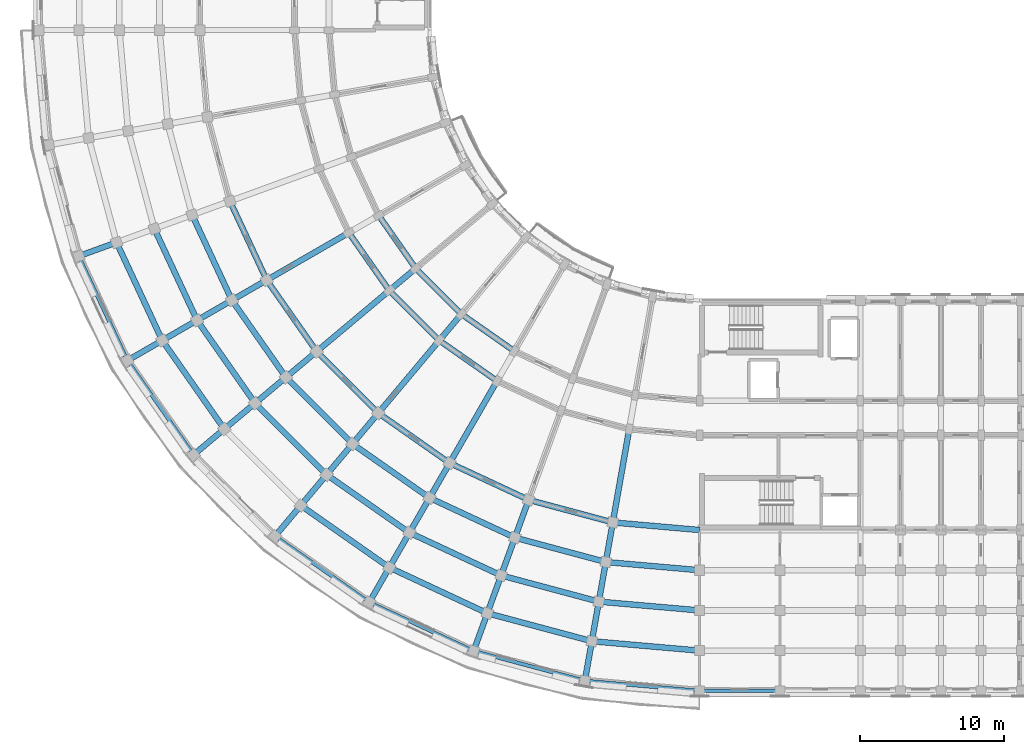
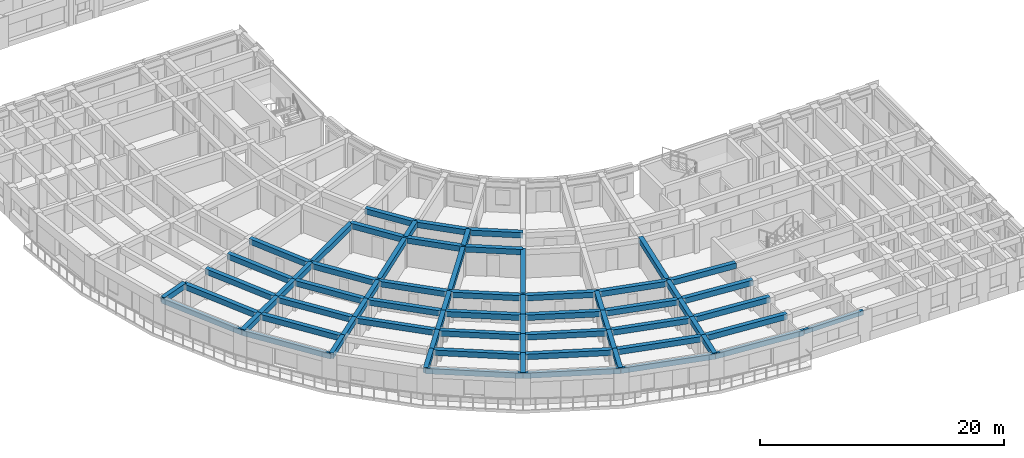
# One storey, part 4 of 57: 72 beams.
"""IFC4 building model written with IfcOpenShell, lengths in metres."""

from ifc_helpers import new_model, si_unit, direction, frame, origin, origin_2d, place, context, subcontext, project, spatial, rectangle, extrude, material, material_profile, profile_set, type_object, element, save


model = new_model("IFC4")

# Units and contexts
model_context = context("Model", 3, precision=1e-05, world=origin(), true_north=direction((0.0, 1.0)))
body_context = subcontext(model_context, "Body", "Model", "MODEL_VIEW")
ifc_project = project(units=[si_unit("LENGTHUNIT", "METRE"), si_unit("AREAUNIT", "SQUARE_METRE"), si_unit("VOLUMEUNIT", "CUBIC_METRE"), si_unit("PLANEANGLEUNIT", "RADIAN"), si_unit("MASSUNIT", "GRAM", prefix="KILO")], contexts=[model_context])

# Site, building, storey
site_placement = place(None, origin())
site = spatial("IfcSite", under=ifc_project, at=site_placement, CompositionType="ELEMENT")
building_placement = place(site_placement, origin())
building = spatial("IfcBuilding", under=site, at=building_placement, Name="Kiranvali Square Residences", CompositionType="ELEMENT")
storey_placement = place(building_placement, frame((0.0, 0.0, 18.14990234375)))
storey = spatial("IfcBuildingStorey", under=building, at=storey_placement, Name="L05", CompositionType="ELEMENT", Elevation=18.14990234375)

# Beams
ifc_material_1 = material(Name="Concrete M45 (45 MPa)", Category="concrete")
ifc_material_profile_1 = material_profile(ifc_material_1, rectangle(XDim=0.39990234375, YDim=0.550048828125, at=origin_2d()), Name="RC 400x550")
ifc_profile_set_1 = profile_set([ifc_material_profile_1], Name="Concrete M45 (45 MPa)")
beam_type_1 = type_object("IfcBeamType", Name="BM-M45-400x550", PredefinedType="BEAM", material=ifc_profile_set_1)
beam_1_placement = place(storey_placement, frame((48.199951171875, 13.39990234375, 2.655029296875), z_axis=(-0.996193018494, 0.087174938512, 0.0), x_axis=(-0.087174938512, -0.996193018494, 0.0)))
element("IfcBeam", 1, at=beam_1_placement, inside=storey, type_object=beam_type_1, Name="L05 beam BM-C-L05-C00-R3", PredefinedType="BEAM", context=body_context, shape_type="SweptSolid", body=[
    extrude(rectangle(XDim=0.39990234375, YDim=0.550048828125, at=origin_2d()), origin(), (0.0, 0.0, 1.0), 6.066162109375),
])
beam_2_placement = place(storey_placement, frame((48.199951171875, 10.60009765625, 2.655029296875), z_axis=(-0.996196991902, 0.0871295204, 0.0), x_axis=(-0.0871295204, -0.996196991902, 0.0)))
element("IfcBeam", 2, at=beam_2_placement, inside=storey, type_object=beam_type_1, Name="L05 beam BM-C-L05-C00-R4", PredefinedType="BEAM", context=body_context, shape_type="SweptSolid", body=[
    extrude(rectangle(XDim=0.39990234375, YDim=0.550048828125, at=origin_2d()), origin(), (0.0, 0.0, 1.0), 6.553955078125),
])
beam_3_placement = place(storey_placement, frame((48.199951171875, 7.800048828125, 2.655029296875), z_axis=(-0.996194658198, 0.087156198737, 0.0), x_axis=(-0.087156198737, -0.996194658198, 0.0)))
element("IfcBeam", 3, at=beam_3_placement, inside=storey, type_object=beam_type_1, Name="L05 beam BM-C-L05-C00-R5", PredefinedType="BEAM", context=body_context, shape_type="SweptSolid", body=[
    extrude(rectangle(XDim=0.39990234375, YDim=0.550048828125, at=origin_2d()), origin(), (0.0, 0.0, 1.0), 7.042236328125),
])
beam_4_placement = place(storey_placement, frame((48.199951171875, 5.0, 2.655029296875), z_axis=(-0.996195195417, 0.087150058103, 0.0), x_axis=(-0.087150058103, -0.996195195417, 0.0)))
element("IfcBeam", 4, at=beam_4_placement, inside=storey, type_object=beam_type_1, Name="L05 beam BM-C-L05-C00-R6", PredefinedType="BEAM", context=body_context, shape_type="SweptSolid", body=[
    extrude(rectangle(XDim=0.39990234375, YDim=0.550048828125, at=origin_2d()), origin(), (0.0, 0.0, 1.0), 7.530029296875),
])
beam_5_placement = place(storey_placement, frame((42.156982421875, 13.9287109375, 2.655029296875), z_axis=(-0.965923618901, 0.258827283048, 0.0), x_axis=(-0.258827283048, -0.965923618901, 0.0)))
element("IfcBeam", 5, at=beam_5_placement, inside=storey, type_object=beam_type_1, Name="L05 beam BM-C-L05-C01-R3", PredefinedType="BEAM", context=body_context, shape_type="SweptSolid", body=[
    extrude(rectangle(XDim=0.39990234375, YDim=0.550048828125, at=origin_2d()), origin(), (0.0, 0.0, 1.0), 6.066162109375),
])
beam_6_placement = place(storey_placement, frame((41.6708984375, 11.171142578125, 2.655029296875), z_axis=(-0.965918287583, 0.258847178297, 0.0), x_axis=(-0.258847178297, -0.965918287583, 0.0)))
element("IfcBeam", 6, at=beam_6_placement, inside=storey, type_object=beam_type_1, Name="L05 beam BM-C-L05-C01-R4", PredefinedType="BEAM", context=body_context, shape_type="SweptSolid", body=[
    extrude(rectangle(XDim=0.39990234375, YDim=0.550048828125, at=origin_2d()), origin(), (0.0, 0.0, 1.0), 6.55419921875),
])
beam_7_placement = place(storey_placement, frame((41.1845703125, 8.413818359375, 2.655029296875), z_axis=(-0.965931029817, 0.258799624492, 0.0), x_axis=(-0.258799624492, -0.965931029817, 0.0)))
element("IfcBeam", 7, at=beam_7_placement, inside=storey, type_object=beam_type_1, Name="L05 beam BM-C-L05-C01-R5", PredefinedType="BEAM", context=body_context, shape_type="SweptSolid", body=[
    extrude(rectangle(XDim=0.39990234375, YDim=0.550048828125, at=origin_2d()), origin(), (0.0, 0.0, 1.0), 7.042236328125),
])
beam_8_placement = place(storey_placement, frame((40.698486328125, 5.65625, 2.655029296875), z_axis=(-0.965925909693, 0.258818733833, 0.0), x_axis=(-0.258818733833, -0.965925909693, 0.0)))
element("IfcBeam", 8, at=beam_8_placement, inside=storey, type_object=beam_type_1, Name="L05 beam BM-C-L05-C01-R6", PredefinedType="BEAM", context=body_context, shape_type="SweptSolid", body=[
    extrude(rectangle(XDim=0.39990234375, YDim=0.550048828125, at=origin_2d()), origin(), (0.0, 0.0, 1.0), 7.5302734375),
])
beam_9_placement = place(storey_placement, frame((36.297607421875, 15.498779296875, 2.655029296875), z_axis=(-0.906312656069, 0.42260781991, 0.0), x_axis=(-0.42260781991, -0.906312656069, 0.0)))
element("IfcBeam", 9, at=beam_9_placement, inside=storey, type_object=beam_type_1, Name="L05 beam BM-C-L05-C02-R3", PredefinedType="BEAM", context=body_context, shape_type="SweptSolid", body=[
    extrude(rectangle(XDim=0.39990234375, YDim=0.550048828125, at=origin_2d()), origin(), (0.0, 0.0, 1.0), 6.06591796875),
])
beam_10_placement = place(storey_placement, frame((35.340087890625, 12.86767578125, 2.655029296875), z_axis=(-0.906318225223, 0.422595876255, 0.0), x_axis=(-0.422595876255, -0.906318225223, 0.0)))
element("IfcBeam", 10, at=beam_10_placement, inside=storey, type_object=beam_type_1, Name="L05 beam BM-C-L05-C02-R4", PredefinedType="BEAM", context=body_context, shape_type="SweptSolid", body=[
    extrude(rectangle(XDim=0.39990234375, YDim=0.550048828125, at=origin_2d()), origin(), (0.0, 0.0, 1.0), 6.55419921875),
])
beam_11_placement = place(storey_placement, frame((34.38232421875, 10.236328125, 2.655029296875), z_axis=(-0.906297360311, 0.422640621205, 0.0), x_axis=(-0.422640621205, -0.906297360311, 0.0)))
element("IfcBeam", 11, at=beam_11_placement, inside=storey, type_object=beam_type_1, Name="L05 beam BM-C-L05-C02-R5", PredefinedType="BEAM", context=body_context, shape_type="SweptSolid", body=[
    extrude(rectangle(XDim=0.39990234375, YDim=0.550048828125, at=origin_2d()), origin(), (0.0, 0.0, 1.0), 7.042236328125),
])
beam_12_placement = place(storey_placement, frame((33.4248046875, 7.605224609375, 2.655029296875), z_axis=(-0.90630982703, 0.422613886933, 0.0), x_axis=(-0.422613886933, -0.90630982703, 0.0)))
element("IfcBeam", 12, at=beam_12_placement, inside=storey, type_object=beam_type_1, Name="L05 beam BM-C-L05-C02-R6", PredefinedType="BEAM", context=body_context, shape_type="SweptSolid", body=[
    extrude(rectangle(XDim=0.39990234375, YDim=0.550048828125, at=origin_2d()), origin(), (0.0, 0.0, 1.0), 7.5302734375),
])
beam_13_placement = place(storey_placement, frame((35.300048828125, 25.8564453125, 2.655029296875), z_axis=(-0.819155404658, 0.573571637217, 0.0), x_axis=(-0.573571637217, -0.819155404658, 0.0)))
element("IfcBeam", 13, at=beam_13_placement, inside=storey, type_object=beam_type_1, Name="L05 beam BM-C-L05-C03-R1", PredefinedType="BEAM", context=body_context, shape_type="SweptSolid", body=[
    extrude(rectangle(XDim=0.39990234375, YDim=0.550048828125, at=origin_2d()), origin(), (0.0, 0.0, 1.0), 4.497314453125),
])
beam_14_placement = place(storey_placement, frame((34.10009765625, 23.778076171875, 2.655029296875), z_axis=(-0.819140911474, 0.573592335331, 0.0), x_axis=(-0.573592335331, -0.819140911474, 0.0)))
element("IfcBeam", 14, at=beam_14_placement, inside=storey, type_object=beam_type_1, Name="L05 beam BM-C-L05-C03-R2", PredefinedType="BEAM", context=body_context, shape_type="SweptSolid", body=[
    extrude(rectangle(XDim=0.39990234375, YDim=0.550048828125, at=origin_2d()), origin(), (0.0, 0.0, 1.0), 4.915771484375),
])
beam_15_placement = place(storey_placement, frame((30.800048828125, 18.062255859375, 2.655029296875), z_axis=(-0.81913926159, 0.573594691504, 0.0), x_axis=(-0.573594691504, -0.81913926159, 0.0)))
element("IfcBeam", 15, at=beam_15_placement, inside=storey, type_object=beam_type_1, Name="L05 beam BM-C-L05-C03-R3", PredefinedType="BEAM", context=body_context, shape_type="SweptSolid", body=[
    extrude(rectangle(XDim=0.39990234375, YDim=0.550048828125, at=origin_2d()), origin(), (0.0, 0.0, 1.0), 6.066162109375),
])
beam_16_placement = place(storey_placement, frame((29.39990234375, 15.637451171875, 2.655029296875), z_axis=(-0.819144409176, 0.573587340268, 0.0), x_axis=(-0.573587340268, -0.819144409176, 0.0)))
element("IfcBeam", 16, at=beam_16_placement, inside=storey, type_object=beam_type_1, Name="L05 beam BM-C-L05-C03-R4", PredefinedType="BEAM", context=body_context, shape_type="SweptSolid", body=[
    extrude(rectangle(XDim=0.39990234375, YDim=0.550048828125, at=origin_2d()), origin(), (0.0, 0.0, 1.0), 6.553955078125),
])
beam_17_placement = place(storey_placement, frame((28.0, 13.212646484375, 2.655029296875), z_axis=(-0.819160249246, 0.57356471828, 0.0), x_axis=(-0.57356471828, -0.819160249246, 0.0)))
element("IfcBeam", 17, at=beam_17_placement, inside=storey, type_object=beam_type_1, Name="L05 beam BM-C-L05-C03-R5", PredefinedType="BEAM", context=body_context, shape_type="SweptSolid", body=[
    extrude(rectangle(XDim=0.39990234375, YDim=0.550048828125, at=origin_2d()), origin(), (0.0, 0.0, 1.0), 7.0419921875),
])
beam_18_placement = place(storey_placement, frame((26.60009765625, 10.78759765625, 2.655029296875), z_axis=(-0.819143569597, 0.573588539275, 0.0), x_axis=(-0.573588539275, -0.819143569597, 0.0)))
element("IfcBeam", 18, at=beam_18_placement, inside=storey, type_object=beam_type_1, Name="L05 beam BM-C-L05-C03-R6", PredefinedType="BEAM", context=body_context, shape_type="SweptSolid", body=[
    extrude(rectangle(XDim=0.39990234375, YDim=0.550048828125, at=origin_2d()), origin(), (0.0, 0.0, 1.0), 7.5302734375),
])
beam_19_placement = place(storey_placement, frame((31.615966796875, 28.43603515625, 2.655029296875), z_axis=(-0.707106781187, 0.707106781187, 0.0), x_axis=(-0.707106781187, -0.707106781187, 0.0)))
element("IfcBeam", 19, at=beam_19_placement, inside=storey, type_object=beam_type_1, Name="L05 beam BM-C-L05-C04-R1", PredefinedType="BEAM", context=body_context, shape_type="SweptSolid", body=[
    extrude(rectangle(XDim=0.39990234375, YDim=0.550048828125, at=origin_2d()), origin(), (0.0, 0.0, 1.0), 4.4970703125),
])
beam_20_placement = place(storey_placement, frame((30.073486328125, 26.59765625, 2.655029296875), z_axis=(-0.707106781187, 0.707106781187, 0.0), x_axis=(-0.707106781187, -0.707106781187, 0.0)))
element("IfcBeam", 20, at=beam_20_placement, inside=storey, type_object=beam_type_1, Name="L05 beam BM-C-L05-C04-R2", PredefinedType="BEAM", context=body_context, shape_type="SweptSolid", body=[
    extrude(rectangle(XDim=0.39990234375, YDim=0.550048828125, at=origin_2d()), origin(), (0.0, 0.0, 1.0), 4.91552734375),
])
beam_21_placement = place(storey_placement, frame((25.8310546875, 21.541748046875, 2.655029296875), z_axis=(-0.707106781187, 0.707106781187, 0.0), x_axis=(-0.707106781187, -0.707106781187, 0.0)))
element("IfcBeam", 21, at=beam_21_placement, inside=storey, type_object=beam_type_1, Name="L05 beam BM-C-L05-C04-R3", PredefinedType="BEAM", context=body_context, shape_type="SweptSolid", body=[
    extrude(rectangle(XDim=0.39990234375, YDim=0.550048828125, at=origin_2d()), origin(), (0.0, 0.0, 1.0), 6.06591796875),
])
beam_22_placement = place(storey_placement, frame((24.03125, 19.396728515625, 2.655029296875), z_axis=(-0.707106781187, 0.707106781187, 0.0), x_axis=(-0.707106781187, -0.707106781187, 0.0)))
element("IfcBeam", 22, at=beam_22_placement, inside=storey, type_object=beam_type_1, Name="L05 beam BM-C-L05-C04-R4", PredefinedType="BEAM", context=body_context, shape_type="SweptSolid", body=[
    extrude(rectangle(XDim=0.39990234375, YDim=0.550048828125, at=origin_2d()), origin(), (0.0, 0.0, 1.0), 6.55419921875),
])
beam_23_placement = place(storey_placement, frame((22.2314453125, 17.251708984375, 2.655029296875), z_axis=(-0.707106781187, 0.707106781187, 0.0), x_axis=(-0.707106781187, -0.707106781187, 0.0)))
element("IfcBeam", 23, at=beam_23_placement, inside=storey, type_object=beam_type_1, Name="L05 beam BM-C-L05-C04-R5", PredefinedType="BEAM", context=body_context, shape_type="SweptSolid", body=[
    extrude(rectangle(XDim=0.39990234375, YDim=0.550048828125, at=origin_2d()), origin(), (0.0, 0.0, 1.0), 7.04248046875),
])
beam_24_placement = place(storey_placement, frame((28.43603515625, 31.615966796875, 2.655029296875), z_axis=(-0.573571637217, 0.819155404658, 0.0), x_axis=(-0.819155404658, -0.573571637217, 0.0)))
element("IfcBeam", 24, at=beam_24_placement, inside=storey, type_object=beam_type_1, Name="L05 beam BM-C-L05-C05-R1", PredefinedType="BEAM", context=body_context, shape_type="SweptSolid", body=[
    extrude(rectangle(XDim=0.39990234375, YDim=0.550048828125, at=origin_2d()), origin(), (0.0, 0.0, 1.0), 4.497314453125),
])
beam_25_placement = place(storey_placement, frame((26.59765625, 30.073486328125, 2.655029296875), z_axis=(-0.573592335331, 0.819140911474, 0.0), x_axis=(-0.819140911474, -0.573592335331, 0.0)))
element("IfcBeam", 25, at=beam_25_placement, inside=storey, type_object=beam_type_1, Name="L05 beam BM-C-L05-C05-R2", PredefinedType="BEAM", context=body_context, shape_type="SweptSolid", body=[
    extrude(rectangle(XDim=0.39990234375, YDim=0.550048828125, at=origin_2d()), origin(), (0.0, 0.0, 1.0), 4.915771484375),
])
beam_26_placement = place(storey_placement, frame((21.541748046875, 25.8310546875, 2.655029296875), z_axis=(-0.573594691504, 0.81913926159, 0.0), x_axis=(-0.81913926159, -0.573594691504, 0.0)))
element("IfcBeam", 26, at=beam_26_placement, inside=storey, type_object=beam_type_1, Name="L05 beam BM-C-L05-C05-R3", PredefinedType="BEAM", context=body_context, shape_type="SweptSolid", body=[
    extrude(rectangle(XDim=0.39990234375, YDim=0.550048828125, at=origin_2d()), origin(), (0.0, 0.0, 1.0), 6.066162109375),
])
beam_27_placement = place(storey_placement, frame((19.396728515625, 24.03125, 2.655029296875), z_axis=(-0.573587340268, 0.819144409176, 0.0), x_axis=(-0.819144409176, -0.573587340268, 0.0)))
element("IfcBeam", 27, at=beam_27_placement, inside=storey, type_object=beam_type_1, Name="L05 beam BM-C-L05-C05-R4", PredefinedType="BEAM", context=body_context, shape_type="SweptSolid", body=[
    extrude(rectangle(XDim=0.39990234375, YDim=0.550048828125, at=origin_2d()), origin(), (0.0, 0.0, 1.0), 6.553955078125),
])
beam_28_placement = place(storey_placement, frame((17.251708984375, 22.2314453125, 2.655029296875), z_axis=(-0.57356471828, 0.819160249246, 0.0), x_axis=(-0.819160249246, -0.57356471828, 0.0)))
element("IfcBeam", 28, at=beam_28_placement, inside=storey, type_object=beam_type_1, Name="L05 beam BM-C-L05-C05-R5", PredefinedType="BEAM", context=body_context, shape_type="SweptSolid", body=[
    extrude(rectangle(XDim=0.39990234375, YDim=0.550048828125, at=origin_2d()), origin(), (0.0, 0.0, 1.0), 7.0419921875),
])
beam_29_placement = place(storey_placement, frame((15.10693359375, 20.431640625, 2.655029296875), z_axis=(-0.573588539275, 0.819143569597, 0.0), x_axis=(-0.819143569597, -0.573588539275, 0.0)))
element("IfcBeam", 29, at=beam_29_placement, inside=storey, type_object=beam_type_1, Name="L05 beam BM-C-L05-C05-R6", PredefinedType="BEAM", context=body_context, shape_type="SweptSolid", body=[
    extrude(rectangle(XDim=0.39990234375, YDim=0.550048828125, at=origin_2d()), origin(), (0.0, 0.0, 1.0), 7.5302734375),
])
beam_30_placement = place(storey_placement, frame((18.062255859375, 30.800048828125, 2.655029296875), z_axis=(-0.42260781991, 0.906312656069, 0.0), x_axis=(-0.906312656069, -0.42260781991, 0.0)))
element("IfcBeam", 30, at=beam_30_placement, inside=storey, type_object=beam_type_1, Name="L05 beam BM-C-L05-C06-R3", PredefinedType="BEAM", context=body_context, shape_type="SweptSolid", body=[
    extrude(rectangle(XDim=0.39990234375, YDim=0.550048828125, at=origin_2d()), origin(), (0.0, 0.0, 1.0), 6.06591796875),
])
beam_31_placement = place(storey_placement, frame((15.637451171875, 29.39990234375, 2.655029296875), z_axis=(-0.422595876255, 0.906318225223, 0.0), x_axis=(-0.906318225223, -0.422595876255, 0.0)))
element("IfcBeam", 31, at=beam_31_placement, inside=storey, type_object=beam_type_1, Name="L05 beam BM-C-L05-C06-R4", PredefinedType="BEAM", context=body_context, shape_type="SweptSolid", body=[
    extrude(rectangle(XDim=0.39990234375, YDim=0.550048828125, at=origin_2d()), origin(), (0.0, 0.0, 1.0), 6.55419921875),
])
beam_32_placement = place(storey_placement, frame((13.212646484375, 28.0, 2.655029296875), z_axis=(-0.422640621205, 0.906297360311, 0.0), x_axis=(-0.906297360311, -0.422640621205, 0.0)))
element("IfcBeam", 32, at=beam_32_placement, inside=storey, type_object=beam_type_1, Name="L05 beam BM-C-L05-C06-R5", PredefinedType="BEAM", context=body_context, shape_type="SweptSolid", body=[
    extrude(rectangle(XDim=0.39990234375, YDim=0.550048828125, at=origin_2d()), origin(), (0.0, 0.0, 1.0), 7.042236328125),
])
beam_33_placement = place(storey_placement, frame((10.78759765625, 26.60009765625, 2.655029296875), z_axis=(-0.422613886933, 0.90630982703, 0.0), x_axis=(-0.90630982703, -0.422613886933, 0.0)))
element("IfcBeam", 33, at=beam_33_placement, inside=storey, type_object=beam_type_1, Name="L05 beam BM-C-L05-C06-R6", PredefinedType="BEAM", context=body_context, shape_type="SweptSolid", body=[
    extrude(rectangle(XDim=0.39990234375, YDim=0.550048828125, at=origin_2d()), origin(), (0.0, 0.0, 1.0), 7.5302734375),
])
beam_34_placement = place(storey_placement, frame((43.30322265625, 20.428466796875, 2.655029296875), z_axis=(-0.173671381499, -0.984803661269, 0.0), x_axis=(0.984803661269, -0.173671381499, 0.0)))
element("IfcBeam", 34, at=beam_34_placement, inside=storey, type_object=beam_type_1, Name="L05 beam BM-C-L05-RAD01-23", PredefinedType="BEAM", context=body_context, shape_type="SweptSolid", body=[
    extrude(rectangle(XDim=0.39990234375, YDim=0.550048828125, at=origin_2d()), origin(), (0.0, 0.0, 1.0), 6.60009765625),
])
beam_35_placement = place(storey_placement, frame((42.156982421875, 13.9287109375, 2.655029296875), z_axis=(-0.173596320392, -0.984816895441, 0.0), x_axis=(0.984816895441, -0.173596320392, 0.0)))
element("IfcBeam", 35, at=beam_35_placement, inside=storey, type_object=beam_type_1, Name="L05 beam BM-C-L05-RAD01-34", PredefinedType="BEAM", context=body_context, shape_type="SweptSolid", body=[
    extrude(rectangle(XDim=0.39990234375, YDim=0.550048828125, at=origin_2d()), origin(), (0.0, 0.0, 1.0), 2.800048828125),
])
beam_36_placement = place(storey_placement, frame((41.6708984375, 11.171142578125, 2.655029296875), z_axis=(-0.173695795656, -0.984799355489, 0.0), x_axis=(0.984799355489, -0.173695795656, 0.0)))
element("IfcBeam", 36, at=beam_36_placement, inside=storey, type_object=beam_type_1, Name="L05 beam BM-C-L05-RAD01-45", PredefinedType="BEAM", context=body_context, shape_type="SweptSolid", body=[
    extrude(rectangle(XDim=0.39990234375, YDim=0.550048828125, at=origin_2d()), origin(), (0.0, 0.0, 1.0), 2.7998046875),
])
beam_37_placement = place(storey_placement, frame((41.1845703125, 8.413818359375, 2.655029296875), z_axis=(-0.173596320392, -0.984816895441, 0.0), x_axis=(0.984816895441, -0.173596320392, 0.0)))
element("IfcBeam", 37, at=beam_37_placement, inside=storey, type_object=beam_type_1, Name="L05 beam BM-C-L05-RAD01-56", PredefinedType="BEAM", context=body_context, shape_type="SweptSolid", body=[
    extrude(rectangle(XDim=0.39990234375, YDim=0.550048828125, at=origin_2d()), origin(), (0.0, 0.0, 1.0), 2.800048828125),
])
for number, where, z_axis, x_axis, name in (
    (38, (40.698486328125, 5.65625, 2.695068359375), (-0.173695795656, -0.984799355489, 0.0), (0.984799355489, -0.173695795656, 0.0), "L05 beam BM-C-L05-RAD01-67"),
    (39, (36.297607421875, 15.498779296875, 2.655029296875), (-0.341981089711, -0.93970683422, 0.0), (0.93970683422, -0.341981089711, 0.0), "L05 beam BM-C-L05-RAD02-34"),
):
    element("IfcBeam", number, at=place(storey_placement, frame(where, z_axis=z_axis, x_axis=x_axis)), inside=storey, type_object=beam_type_1, Name=name, PredefinedType="BEAM", context=body_context, shape_type="SweptSolid", body=[
        extrude(rectangle(XDim=0.39990234375, YDim=0.550048828125, at=origin_2d()), origin(), (0.0, 0.0, 1.0), 2.7998046875),
    ])
beam_38_placement = place(storey_placement, frame((35.340087890625, 12.86767578125, 2.655029296875), z_axis=(-0.342030060398, -0.939689011208, 0.0), x_axis=(0.939689011208, -0.342030060398, 0.0)))
element("IfcBeam", 40, at=beam_38_placement, inside=storey, type_object=beam_type_1, Name="L05 beam BM-C-L05-RAD02-45", PredefinedType="BEAM", context=body_context, shape_type="SweptSolid", body=[
    extrude(rectangle(XDim=0.39990234375, YDim=0.550048828125, at=origin_2d()), origin(), (0.0, 0.0, 1.0), 2.80029296875),
])
beam_39_placement = place(storey_placement, frame((34.38232421875, 10.236328125, 2.655029296875), z_axis=(-0.341981089711, -0.93970683422, 0.0), x_axis=(0.93970683422, -0.341981089711, 0.0)))
element("IfcBeam", 41, at=beam_39_placement, inside=storey, type_object=beam_type_1, Name="L05 beam BM-C-L05-RAD02-56", PredefinedType="BEAM", context=body_context, shape_type="SweptSolid", body=[
    extrude(rectangle(XDim=0.39990234375, YDim=0.550048828125, at=origin_2d()), origin(), (0.0, 0.0, 1.0), 2.7998046875),
])
beam_40_placement = place(storey_placement, frame((33.4248046875, 7.605224609375, 2.695068359375), z_axis=(-0.342058084236, -0.939678810556, 0.0), x_axis=(0.939678810556, -0.342058084236, 0.0)))
element("IfcBeam", 42, at=beam_40_placement, inside=storey, type_object=beam_type_1, Name="L05 beam BM-C-L05-RAD02-67", PredefinedType="BEAM", context=body_context, shape_type="SweptSolid", body=[
    extrude(rectangle(XDim=0.39990234375, YDim=0.550048828125, at=origin_2d()), origin(), (0.0, 0.0, 1.0), 2.800048828125),
])
beam_41_placement = place(storey_placement, frame((34.10009765625, 23.778076171875, 2.655029296875), z_axis=(-0.500002094529, -0.866024194504, 0.0), x_axis=(0.866024194504, -0.500002094529, 0.0)))
element("IfcBeam", 43, at=beam_41_placement, inside=storey, type_object=beam_type_1, Name="L05 beam BM-C-L05-RAD03-23", PredefinedType="BEAM", context=body_context, shape_type="SweptSolid", body=[
    extrude(rectangle(XDim=0.39990234375, YDim=0.550048828125, at=origin_2d()), origin(), (0.0, 0.0, 1.0), 6.60009765625),
])
beam_42_placement = place(storey_placement, frame((30.800048828125, 18.062255859375, 2.655029296875), z_axis=(-0.500049511043, -0.865996816683, 0.0), x_axis=(0.865996816683, -0.500049511043, 0.0)))
element("IfcBeam", 44, at=beam_42_placement, inside=storey, type_object=beam_type_1, Name="L05 beam BM-C-L05-RAD03-34", PredefinedType="BEAM", context=body_context, shape_type="SweptSolid", body=[
    extrude(rectangle(XDim=0.39990234375, YDim=0.550048828125, at=origin_2d()), origin(), (0.0, 0.0, 1.0), 2.800048828125),
])
beam_43_placement = place(storey_placement, frame((29.39990234375, 15.637451171875, 2.655029296875), z_axis=(-0.49998411664, -0.866034573852, 0.0), x_axis=(0.866034573852, -0.49998411664, 0.0)))
element("IfcBeam", 45, at=beam_43_placement, inside=storey, type_object=beam_type_1, Name="L05 beam BM-C-L05-RAD03-45", PredefinedType="BEAM", context=body_context, shape_type="SweptSolid", body=[
    extrude(rectangle(XDim=0.39990234375, YDim=0.550048828125, at=origin_2d()), origin(), (0.0, 0.0, 1.0), 2.7998046875),
])
for number, where, z_axis, x_axis, name in (
    (46, (28.0, 13.212646484375, 2.655029296875), (-0.49994636267, -0.866056369097, 0.0), (0.866056369097, -0.49994636267, 0.0), "L05 beam BM-C-L05-RAD03-56"),
    (47, (26.60009765625, 10.78759765625, 2.695068359375), (-0.500049511043, -0.865996816683, 0.0), (0.865996816683, -0.500049511043, 0.0), "L05 beam BM-C-L05-RAD03-67"),
):
    element("IfcBeam", number, at=place(storey_placement, frame(where, z_axis=z_axis, x_axis=x_axis)), inside=storey, type_object=beam_type_1, Name=name, PredefinedType="BEAM", context=body_context, shape_type="SweptSolid", body=[
        extrude(rectangle(XDim=0.39990234375, YDim=0.550048828125, at=origin_2d()), origin(), (0.0, 0.0, 1.0), 2.800048828125),
    ])
beam_44_placement = place(storey_placement, frame((31.615966796875, 28.43603515625, 2.655029296875), z_axis=(-0.642762521781, -0.766065493671, 0.0), x_axis=(0.766065493671, -0.642762521781, 0.0)))
element("IfcBeam", 48, at=beam_44_placement, inside=storey, type_object=beam_type_1, Name="L05 beam BM-C-L05-RAD04-12", PredefinedType="BEAM", context=body_context, shape_type="SweptSolid", body=[
    extrude(rectangle(XDim=0.39990234375, YDim=0.550048828125, at=origin_2d()), origin(), (0.0, 0.0, 1.0), 2.399658203125),
])
beam_45_placement = place(storey_placement, frame((30.073486328125, 26.59765625, 2.655029296875), z_axis=(-0.642789470807, -0.766042881449, 0.0), x_axis=(0.766042881449, -0.642789470807, 0.0)))
element("IfcBeam", 49, at=beam_45_placement, inside=storey, type_object=beam_type_1, Name="L05 beam BM-C-L05-RAD04-23", PredefinedType="BEAM", context=body_context, shape_type="SweptSolid", body=[
    extrude(rectangle(XDim=0.39990234375, YDim=0.550048828125, at=origin_2d()), origin(), (0.0, 0.0, 1.0), 6.60009765625),
])
for number, where, z_axis, x_axis, name in (
    (50, (25.8310546875, 21.541748046875, 2.655029296875), (-0.642770757628, -0.766058583359, 0.0), (0.766058583359, -0.642770757628, 0.0), "L05 beam BM-C-L05-RAD04-34"),
    (51, (24.03125, 19.396728515625, 2.655029296875), (-0.642770757628, -0.766058583359, 0.0), (0.766058583359, -0.642770757628, 0.0), "L05 beam BM-C-L05-RAD04-45"),
):
    element("IfcBeam", number, at=place(storey_placement, frame(where, z_axis=z_axis, x_axis=x_axis)), inside=storey, type_object=beam_type_1, Name=name, PredefinedType="BEAM", context=body_context, shape_type="SweptSolid", body=[
        extrude(rectangle(XDim=0.39990234375, YDim=0.550048828125, at=origin_2d()), origin(), (0.0, 0.0, 1.0), 2.800048828125),
    ])
beam_46_placement = place(storey_placement, frame((22.2314453125, 17.251708984375, 2.655029296875), z_axis=(-0.642813692253, -0.76602255649, 0.0), x_axis=(0.76602255649, -0.642813692253, 0.0)))
element("IfcBeam", 52, at=beam_46_placement, inside=storey, type_object=beam_type_1, Name="L05 beam BM-C-L05-RAD04-56", PredefinedType="BEAM", context=body_context, shape_type="SweptSolid", body=[
    extrude(rectangle(XDim=0.39990234375, YDim=0.550048828125, at=origin_2d()), origin(), (0.0, 0.0, 1.0), 2.7998046875),
])
beam_47_placement = place(storey_placement, frame((20.431640625, 15.10693359375, 2.695068359375), z_axis=(-0.642770757628, -0.766058583359, 0.0), x_axis=(0.766058583359, -0.642770757628, 0.0)))
element("IfcBeam", 53, at=beam_47_placement, inside=storey, type_object=beam_type_1, Name="L05 beam BM-C-L05-RAD04-67", PredefinedType="BEAM", context=body_context, shape_type="SweptSolid", body=[
    extrude(rectangle(XDim=0.39990234375, YDim=0.550048828125, at=origin_2d()), origin(), (0.0, 0.0, 1.0), 2.800048828125),
])
beam_48_placement = place(storey_placement, frame((28.43603515625, 31.615966796875, 2.655029296875), z_axis=(-0.766065493671, -0.642762521781, 0.0), x_axis=(0.642762521781, -0.766065493671, 0.0)))
element("IfcBeam", 54, at=beam_48_placement, inside=storey, type_object=beam_type_1, Name="L05 beam BM-C-L05-RAD05-12", PredefinedType="BEAM", context=body_context, shape_type="SweptSolid", body=[
    extrude(rectangle(XDim=0.39990234375, YDim=0.550048828125, at=origin_2d()), origin(), (0.0, 0.0, 1.0), 2.399658203125),
])
beam_49_placement = place(storey_placement, frame((26.59765625, 30.073486328125, 2.655029296875), z_axis=(-0.766042881449, -0.642789470807, 0.0), x_axis=(0.642789470807, -0.766042881449, 0.0)))
element("IfcBeam", 55, at=beam_49_placement, inside=storey, type_object=beam_type_1, Name="L05 beam BM-C-L05-RAD05-23", PredefinedType="BEAM", context=body_context, shape_type="SweptSolid", body=[
    extrude(rectangle(XDim=0.39990234375, YDim=0.550048828125, at=origin_2d()), origin(), (0.0, 0.0, 1.0), 6.60009765625),
])
for number, where, z_axis, x_axis, name in (
    (56, (21.541748046875, 25.8310546875, 2.655029296875), (-0.766058583359, -0.642770757628, 0.0), (0.642770757628, -0.766058583359, 0.0), "L05 beam BM-C-L05-RAD05-34"),
    (57, (19.396728515625, 24.03125, 2.655029296875), (-0.766058583359, -0.642770757628, 0.0), (0.642770757628, -0.766058583359, 0.0), "L05 beam BM-C-L05-RAD05-45"),
):
    element("IfcBeam", number, at=place(storey_placement, frame(where, z_axis=z_axis, x_axis=x_axis)), inside=storey, type_object=beam_type_1, Name=name, PredefinedType="BEAM", context=body_context, shape_type="SweptSolid", body=[
        extrude(rectangle(XDim=0.39990234375, YDim=0.550048828125, at=origin_2d()), origin(), (0.0, 0.0, 1.0), 2.800048828125),
    ])
beam_50_placement = place(storey_placement, frame((17.251708984375, 22.2314453125, 2.655029296875), z_axis=(-0.76602255649, -0.642813692253, 0.0), x_axis=(0.642813692253, -0.76602255649, 0.0)))
element("IfcBeam", 58, at=beam_50_placement, inside=storey, type_object=beam_type_1, Name="L05 beam BM-C-L05-RAD05-56", PredefinedType="BEAM", context=body_context, shape_type="SweptSolid", body=[
    extrude(rectangle(XDim=0.39990234375, YDim=0.550048828125, at=origin_2d()), origin(), (0.0, 0.0, 1.0), 2.7998046875),
])
beam_51_placement = place(storey_placement, frame((15.10693359375, 20.431640625, 2.695068359375), z_axis=(-0.766058583359, -0.642770757628, 0.0), x_axis=(0.642770757628, -0.766058583359, 0.0)))
element("IfcBeam", 59, at=beam_51_placement, inside=storey, type_object=beam_type_1, Name="L05 beam BM-C-L05-RAD05-67", PredefinedType="BEAM", context=body_context, shape_type="SweptSolid", body=[
    extrude(rectangle(XDim=0.39990234375, YDim=0.550048828125, at=origin_2d()), origin(), (0.0, 0.0, 1.0), 2.800048828125),
])
beam_52_placement = place(storey_placement, frame((23.778076171875, 34.10009765625, 2.655029296875), z_axis=(-0.866024194504, -0.500002094529, 0.0), x_axis=(0.500002094529, -0.866024194504, 0.0)))
element("IfcBeam", 60, at=beam_52_placement, inside=storey, type_object=beam_type_1, Name="L05 beam BM-C-L05-RAD06-23", PredefinedType="BEAM", context=body_context, shape_type="SweptSolid", body=[
    extrude(rectangle(XDim=0.39990234375, YDim=0.550048828125, at=origin_2d()), origin(), (0.0, 0.0, 1.0), 6.60009765625),
])
beam_53_placement = place(storey_placement, frame((18.062255859375, 30.800048828125, 2.655029296875), z_axis=(-0.865996816683, -0.500049511043, 0.0), x_axis=(0.500049511043, -0.865996816683, 0.0)))
element("IfcBeam", 61, at=beam_53_placement, inside=storey, type_object=beam_type_1, Name="L05 beam BM-C-L05-RAD06-34", PredefinedType="BEAM", context=body_context, shape_type="SweptSolid", body=[
    extrude(rectangle(XDim=0.39990234375, YDim=0.550048828125, at=origin_2d()), origin(), (0.0, 0.0, 1.0), 2.800048828125),
])
beam_54_placement = place(storey_placement, frame((15.637451171875, 29.39990234375, 2.655029296875), z_axis=(-0.866034573852, -0.49998411664, 0.0), x_axis=(0.49998411664, -0.866034573852, 0.0)))
element("IfcBeam", 62, at=beam_54_placement, inside=storey, type_object=beam_type_1, Name="L05 beam BM-C-L05-RAD06-45", PredefinedType="BEAM", context=body_context, shape_type="SweptSolid", body=[
    extrude(rectangle(XDim=0.39990234375, YDim=0.550048828125, at=origin_2d()), origin(), (0.0, 0.0, 1.0), 2.7998046875),
])
for number, where, z_axis, x_axis, name in (
    (63, (13.212646484375, 28.0, 2.655029296875), (-0.866056369097, -0.49994636267, 0.0), (0.49994636267, -0.866056369097, 0.0), "L05 beam BM-C-L05-RAD06-56"),
    (64, (10.78759765625, 26.60009765625, 2.695068359375), (-0.865996816683, -0.500049511043, 0.0), (0.500049511043, -0.865996816683, 0.0), "L05 beam BM-C-L05-RAD06-67"),
    (65, (7.605224609375, 33.4248046875, 2.695068359375), (-0.939678810556, -0.342058084236, 0.0), (0.342058084236, -0.939678810556, 0.0), "L05 beam BM-C-L05-RAD07-67"),
):
    element("IfcBeam", number, at=place(storey_placement, frame(where, z_axis=z_axis, x_axis=x_axis)), inside=storey, type_object=beam_type_1, Name=name, PredefinedType="BEAM", context=body_context, shape_type="SweptSolid", body=[
        extrude(rectangle(XDim=0.39990234375, YDim=0.550048828125, at=origin_2d()), origin(), (0.0, 0.0, 1.0), 2.800048828125),
    ])
ifc_material_2 = material(Name="Concrete M40 (40 MPa)", Category="concrete")
ifc_material_profile_2 = material_profile(ifc_material_2, rectangle(XDim=0.25, YDim=0.449951171875, at=origin_2d()), Name="RC 250x450")
ifc_profile_set_2 = profile_set([ifc_material_profile_2], Name="Concrete M40 (40 MPa)")
beam_type_2 = type_object("IfcBeamType", Name="SPN-M40-250x450", PredefinedType="SPANDREL", material=ifc_profile_set_2)
beam_55_placement = place(storey_placement, frame((48.199951171875, 2.199951171875, 2.7451171875), z_axis=(1.0, 0.0, 0.0), x_axis=(0.0, 1.0, 0.0)))
element("IfcBeam", 66, at=beam_55_placement, inside=storey, type_object=beam_type_2, Name="L05 beam BM-C-L05-A1U0-R7", PredefinedType="SPANDREL", context=body_context, shape_type="SweptSolid", body=[
    extrude(rectangle(XDim=0.25, YDim=0.449951171875, at=origin_2d()), origin(), (0.0, 0.0, 1.0), 5.60009765625),
])
ifc_material_profile_3 = material_profile(ifc_material_2, rectangle(XDim=0.25, YDim=0.550048828125, at=origin_2d()), Name="RC 250x550")
ifc_profile_set_3 = profile_set([ifc_material_profile_3], Name="Concrete M40 (40 MPa)")
beam_type_3 = type_object("IfcBeamType", Name="SPN-M40-250x550", PredefinedType="SPANDREL", material=ifc_profile_set_3)
for number, where, z_axis, x_axis, name in (
    (67, (48.199951171875, 2.199951171875, 2.695068359375), (-0.996193254792, 0.087172238171, 0.0), (-0.087172238171, -0.996193254792, 0.0), "L05 beam BM-C-L05-C00-R7"),
    (68, (40.212158203125, 2.89892578125, 2.695068359375), (-0.96592902462, 0.258807108475, 0.0), (-0.258807108475, -0.96592902462, 0.0), "L05 beam BM-C-L05-C01-R7"),
    (69, (32.467041015625, 4.97412109375, 2.695068359375), (-0.906309113636, 0.422615416827, 0.0), (-0.422615416827, -0.906309113636, 0.0), "L05 beam BM-C-L05-C02-R7"),
    (70, (25.199951171875, 8.36279296875, 2.695068359375), (-0.819147515001, 0.573582904791, 0.0), (-0.573582904791, -0.819147515001, 0.0), "L05 beam BM-C-L05-C03-R7"),
    (71, (12.9619140625, 18.6318359375, 2.695068359375), (-0.573582904791, 0.819147515001, 0.0), (-0.819147515001, -0.573582904791, 0.0), "L05 beam BM-C-L05-C05-R7"),
    (72, (8.36279296875, 25.199951171875, 2.695068359375), (-0.422615416827, 0.906309113636, 0.0), (-0.906309113636, -0.422615416827, 0.0), "L05 beam BM-C-L05-C06-R7"),
):
    element("IfcBeam", number, at=place(storey_placement, frame(where, z_axis=z_axis, x_axis=x_axis)), inside=storey, type_object=beam_type_3, Name=name, PredefinedType="SPANDREL", context=body_context, shape_type="SweptSolid", body=[
        extrude(rectangle(XDim=0.25, YDim=0.550048828125, at=origin_2d()), origin(), (0.0, 0.0, 1.0), 8.018310546875),
    ])

save(model, "model.ifc")
